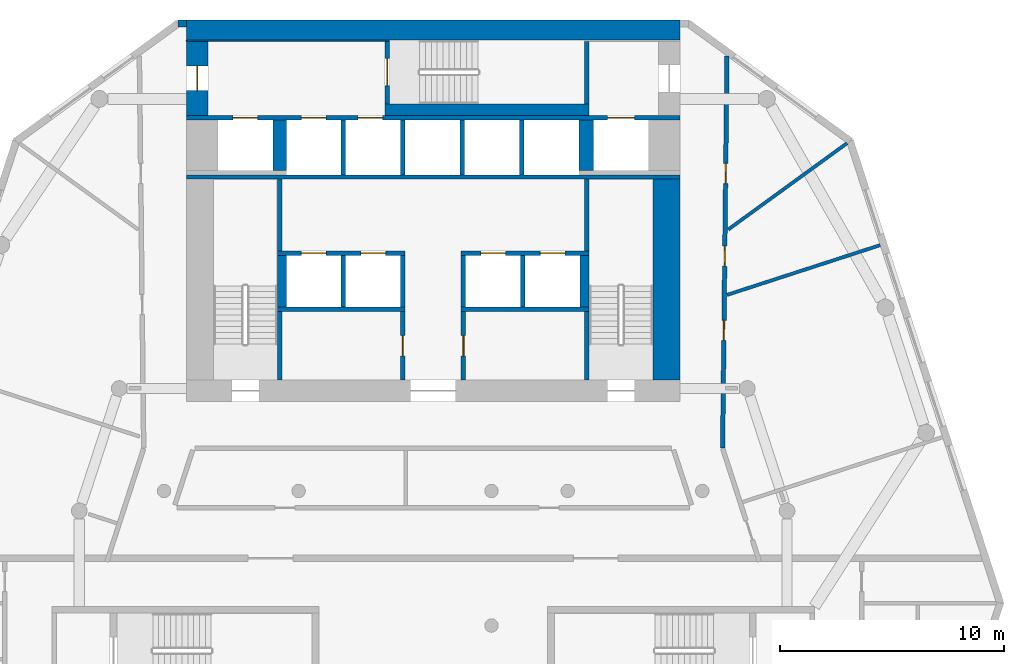
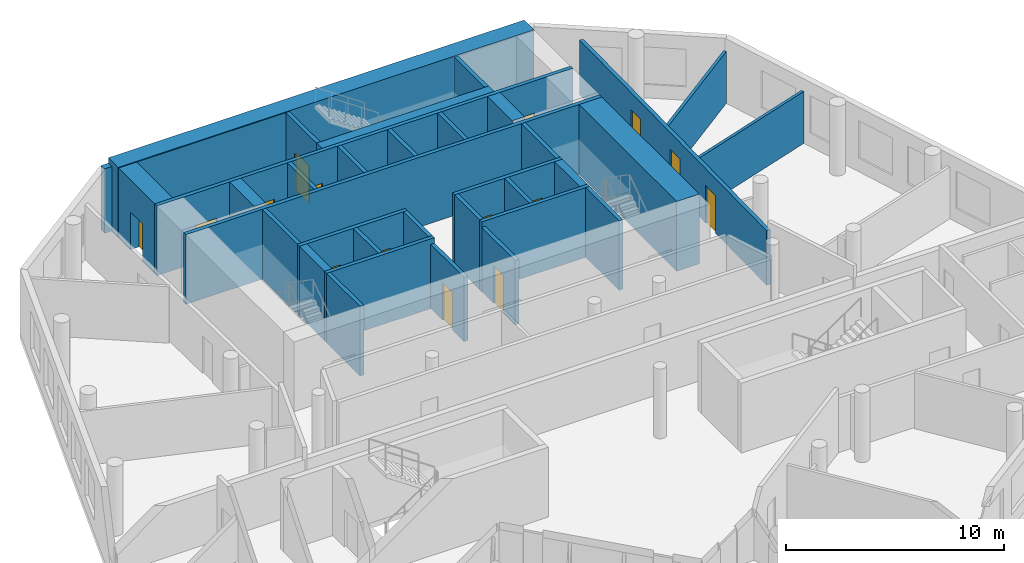
# One storey, part 5 of 8: 35 walls, 15 doors, 15 openings.
"""IFC4 building model written with IfcOpenShell, lengths in metres."""

from ifc_helpers import new_model, si_unit, direction, frame, frame_2d, origin, place, context, subcontext, project, spatial, rectangle, extrude, material, layer, layer_set, type_object, element, fill, save


model = new_model("IFC4")

# Units and contexts
model_context = context("Model", 3, precision=1e-05, world=origin(), true_north=direction((0.0, 1.0)))
body_context = subcontext(model_context, "Body", "Model", "MODEL_VIEW")
ifc_project = project(units=[si_unit("LENGTHUNIT", "METRE"), si_unit("AREAUNIT", "SQUARE_METRE"), si_unit("VOLUMEUNIT", "CUBIC_METRE"), si_unit("PLANEANGLEUNIT", "RADIAN"), si_unit("MASSUNIT", "GRAM", prefix="KILO")], contexts=[model_context])

# Site, building, storey
site_placement = place(None, origin())
site = spatial("IfcSite", under=ifc_project, at=site_placement, CompositionType="ELEMENT")
building_placement = place(site_placement, origin())
building = spatial("IfcBuilding", under=site, at=building_placement, Name="White Candle Pilgrim Tower", CompositionType="ELEMENT")
storey_placement = place(building_placement, frame((0.0, 0.0, 156.39990234375)))
storey = spatial("IfcBuildingStorey", under=building, at=storey_placement, Name="L35", CompositionType="ELEMENT", Elevation=156.39990234375)

# Wall, openings, doors
ifc_material_1 = material(Name="Concrete C60/75", Category="concrete")
ifc_layer_1 = layer(ifc_material_1, 0.199951171875)
ifc_layer_set_1 = layer_set([ifc_layer_1], Name="Core wall 200 mm Concrete C60/75")
wall_type_1 = type_object("IfcWallType", Name="Core wall 200 mm Concrete C60/75", PredefinedType="SHEAR", material=ifc_layer_set_1)
wall_1_placement = place(storey_placement, frame((59.0, 83.64990234375, 0.0), z_axis=(0.0, 0.0, 1.0), x_axis=(1.0, 0.0, 0.0)))
wall_1 = element("IfcWall", 1, at=wall_1_placement, inside=storey, type_object=wall_type_1, Name="WL-L35-C41", PredefinedType="SHEAR", context=body_context, shape_type="SweptSolid", body=[
    extrude(rectangle(XDim=22.0, YDim=0.199951171875, at=frame_2d((11.0, 0.0))), origin(), (0.0, 0.0, 1.0), 3.900146484375),
])
opening_1_placement = place(wall_1_placement, frame((5.125, 0.0, 0.0)))
opening_1 = element("IfcOpeningElement", 2, at=opening_1_placement, cuts=wall_1, Name="Opening T10-017", PredefinedType="OPENING", context=body_context, shape_type="SweptSolid", body=[
    extrude(rectangle(XDim=1.10009765625, YDim=2.10009765625, at=frame_2d((0.550048828125, 1.050048828125))), frame((0.0, 0.10986328125, 0.0), z_axis=(0.0, -1.0, 0.0), x_axis=(1.0, 0.0, 0.0)), (0.0, 0.0, 1.0), 0.219970703125),
])
opening_2_placement = place(wall_1_placement, frame((7.64990234375, 0.0, 0.0)))
opening_2 = element("IfcOpeningElement", 3, at=opening_2_placement, cuts=wall_1, Name="Opening T10-018", PredefinedType="OPENING", context=body_context, shape_type="SweptSolid", body=[
    extrude(rectangle(XDim=1.10009765625, YDim=2.10009765625, at=frame_2d((0.550048828125, 1.050048828125))), frame((0.0, 0.10986328125, 0.0), z_axis=(0.0, -1.0, 0.0), x_axis=(1.0, 0.0, 0.0)), (0.0, 0.0, 1.0), 0.219970703125),
])
opening_3_placement = place(wall_1_placement, frame((18.77490234375, 0.0, 0.0)))
opening_3 = element("IfcOpeningElement", 4, at=opening_3_placement, cuts=wall_1, Name="Opening T10-019", PredefinedType="OPENING", context=body_context, shape_type="SweptSolid", body=[
    extrude(rectangle(XDim=1.199951171875, YDim=2.10009765625, at=frame_2d((0.60009765625, 1.050048828125))), frame((0.0, 0.10986328125, 0.0), z_axis=(0.0, -1.0, 0.0), x_axis=(1.0, 0.0, 0.0)), (0.0, 0.0, 1.0), 0.219970703125),
])
opening_4_placement = place(wall_1_placement, frame((2.074951171875, 0.0, 0.0)))
opening_4 = element("IfcOpeningElement", 5, at=opening_4_placement, cuts=wall_1, Name="Opening T10-020", PredefinedType="OPENING", context=body_context, shape_type="SweptSolid", body=[
    extrude(rectangle(XDim=1.10009765625, YDim=2.10009765625, at=frame_2d((0.550048828125, 1.050048828125))), frame((0.0, 0.10986328125, 0.0), z_axis=(0.0, -1.0, 0.0), x_axis=(1.0, 0.0, 0.0)), (0.0, 0.0, 1.0), 0.219970703125),
])
ifc_material_2 = material(Name="Stainless steel", Category="steel")
door_type_1 = type_object("IfcDoorType", Name="Lift landing door 1100 x 2100 EI 60", OperationType="DOUBLE_DOOR_SLIDING", PredefinedType="DOOR", material=ifc_material_2)
door_1_placement = place(opening_1_placement, origin())
door_1 = element("IfcDoor", 6, at=door_1_placement, inside=storey, type_object=door_type_1, Name="Door T10-017", OperationType="DOUBLE_DOOR_SLIDING", OverallHeight=2.10009765625, OverallWidth=1.10009765625, PredefinedType="DOOR", context=body_context, shape_type="SweptSolid", body=[
    extrude(rectangle(XDim=1.10009765625, YDim=2.10009765625, at=frame_2d((0.550048828125, 1.050048828125))), frame((0.0, 0.02490234375, 0.0), z_axis=(0.0, -1.0, 0.0), x_axis=(1.0, 0.0, 0.0)), (0.0, 0.0, 1.0), 0.050048828125),
])
fill(opening_1, door_1)
door_2_placement = place(opening_2_placement, origin())
door_2 = element("IfcDoor", 7, at=door_2_placement, inside=storey, type_object=door_type_1, Name="Door T10-018", OperationType="DOUBLE_DOOR_SLIDING", OverallHeight=2.10009765625, OverallWidth=1.10009765625, PredefinedType="DOOR", context=body_context, shape_type="SweptSolid", body=[
    extrude(rectangle(XDim=1.10009765625, YDim=2.10009765625, at=frame_2d((0.550048828125, 1.050048828125))), frame((0.0, 0.02490234375, 0.0), z_axis=(0.0, -1.0, 0.0), x_axis=(1.0, 0.0, 0.0)), (0.0, 0.0, 1.0), 0.050048828125),
])
fill(opening_2, door_2)
door_3_placement = place(opening_4_placement, origin())
door_3 = element("IfcDoor", 8, at=door_3_placement, inside=storey, type_object=door_type_1, Name="Door T10-020", OperationType="DOUBLE_DOOR_SLIDING", OverallHeight=2.10009765625, OverallWidth=1.10009765625, PredefinedType="DOOR", context=body_context, shape_type="SweptSolid", body=[
    extrude(rectangle(XDim=1.10009765625, YDim=2.10009765625, at=frame_2d((0.550048828125, 1.050048828125))), frame((0.0, 0.02490234375, 0.0), z_axis=(0.0, -1.0, 0.0), x_axis=(1.0, 0.0, 0.0)), (0.0, 0.0, 1.0), 0.050048828125),
])
fill(opening_4, door_3)
door_type_2 = type_object("IfcDoorType", Name="Lift landing door 1200 x 2100 E 60", OperationType="DOUBLE_DOOR_SLIDING", PredefinedType="DOOR", material=ifc_material_2)
door_4_placement = place(opening_3_placement, origin())
door_4 = element("IfcDoor", 9, at=door_4_placement, inside=storey, type_object=door_type_2, Name="Door T10-019", OperationType="DOUBLE_DOOR_SLIDING", OverallHeight=2.10009765625, OverallWidth=1.199951171875, PredefinedType="DOOR", context=body_context, shape_type="SweptSolid", body=[
    extrude(rectangle(XDim=1.199951171875, YDim=2.10009765625, at=frame_2d((0.60009765625, 1.050048828125))), frame((0.0, 0.02490234375, 0.0), z_axis=(0.0, -1.0, 0.0), x_axis=(1.0, 0.0, 0.0)), (0.0, 0.0, 1.0), 0.050048828125),
])
fill(opening_3, door_4)

# Wall, opening, door
ifc_layer_2 = layer(ifc_material_1, 0.949951171875)
ifc_layer_set_2 = layer_set([ifc_layer_2], Name="Core wall 950 mm Concrete C60/75")
wall_type_2 = type_object("IfcWallType", Name="Core wall 950 mm Concrete C60/75", PredefinedType="SHEAR", material=ifc_layer_set_2)
wall_2_placement = place(storey_placement, frame((59.47509765625, 83.75, 0.0), z_axis=(0.0, 0.0, 1.0), x_axis=(0.0, 1.0, 0.0)))
wall_2 = element("IfcWall", 10, at=wall_2_placement, inside=storey, type_object=wall_type_2, Name="WL-L35-C42", PredefinedType="SHEAR", context=body_context, shape_type="SweptSolid", body=[
    extrude(rectangle(XDim=3.300048828125, YDim=0.949951171875, at=frame_2d((1.64990234375, 0.0))), origin(), (0.0, 0.0, 1.0), 3.900146484375),
])
opening_5_placement = place(wall_2_placement, frame((1.10009765625, 0.0, 0.0)))
opening_5 = element("IfcOpeningElement", 11, at=opening_5_placement, cuts=wall_2, Name="Opening T10-007", PredefinedType="OPENING", context=body_context, shape_type="SweptSolid", body=[
    extrude(rectangle(XDim=1.10009765625, YDim=2.10009765625, at=frame_2d((0.550048828125, 1.050048828125))), frame((0.0, 0.48486328125, 0.0), z_axis=(0.0, -1.0, 0.0), x_axis=(1.0, 0.0, 0.0)), (0.0, 0.0, 1.0), 0.969970703125),
])
ifc_material_3 = material(Name="Steel door leaf", Category="steel")
door_type_3 = type_object("IfcDoorType", Name="Fire door 1100 x 2100 EI 60", OperationType="NOTDEFINED", PredefinedType="DOOR", material=ifc_material_3)
door_5_placement = place(opening_5_placement, origin())
door_5 = element("IfcDoor", 12, at=door_5_placement, inside=storey, type_object=door_type_3, Name="Door T10-007", OperationType="SINGLE_SWING_LEFT", OverallHeight=2.10009765625, OverallWidth=1.10009765625, PredefinedType="DOOR", context=body_context, shape_type="SweptSolid", body=[
    extrude(rectangle(XDim=1.10009765625, YDim=2.10009765625, at=frame_2d((0.550048828125, 1.050048828125))), frame((0.0, 0.02490234375, 0.0), z_axis=(0.0, -1.0, 0.0), x_axis=(1.0, 0.0, 0.0)), (0.0, 0.0, 1.0), 0.050048828125),
])
fill(opening_5, door_5)

# Wall, openings, doors
ifc_material_4 = material(Name="Gypsum board on steel studs", Category="steel")
ifc_layer_3 = layer(ifc_material_4, 0.199951171875)
ifc_layer_set_3 = layer_set([ifc_layer_3], Name="Corridor wall 200 mm EI 45")
wall_type_3 = type_object("IfcWallType", Name="Corridor wall 200 mm EI 45", PredefinedType="PARTITIONING", material=ifc_layer_set_3)
wall_3_placement = place(storey_placement, frame((83.10009765625, 86.396240234375, 0.0), z_axis=(0.0, 0.0, 1.0), x_axis=(-0.011061239263, -0.999938822622, 0.0)))
wall_3 = element("IfcWall", 13, at=wall_3_placement, inside=storey, type_object=wall_type_3, Name="WL-L35-P004", PredefinedType="PARTITIONING", context=body_context, shape_type="SweptSolid", body=[
    extrude(rectangle(XDim=17.480712890625, YDim=0.199951171875, at=frame_2d((8.740234375, 0.0))), origin(), (0.0, 0.0, 1.0), 3.050048828125),
])
opening_6_placement = place(wall_3_placement, frame((4.794189453125, 0.0, 0.0)))
opening_6 = element("IfcOpeningElement", 14, at=opening_6_placement, cuts=wall_3, Name="Opening T10-120", PredefinedType="OPENING", context=body_context, shape_type="SweptSolid", body=[
    extrude(rectangle(XDim=0.89990234375, YDim=2.10009765625, at=frame_2d((0.449951171875, 1.050048828125))), frame((0.0, 0.10986328125, 0.0), z_axis=(0.0, -1.0, 0.0), x_axis=(1.0, 0.0, 0.0)), (0.0, 0.0, 1.0), 0.219970703125),
])
opening_7_placement = place(wall_3_placement, frame((8.476318359375, 0.0, 0.0)))
opening_7 = element("IfcOpeningElement", 15, at=opening_7_placement, cuts=wall_3, Name="Opening T10-121", PredefinedType="OPENING", context=body_context, shape_type="SweptSolid", body=[
    extrude(rectangle(XDim=0.89990234375, YDim=2.10009765625, at=frame_2d((0.449951171875, 1.050048828125))), frame((0.0, 0.10986328125, 0.0), z_axis=(0.0, -1.0, 0.0), x_axis=(1.0, 0.0, 0.0)), (0.0, 0.0, 1.0), 0.219970703125),
])
opening_8_placement = place(wall_3_placement, frame((11.78662109375, 0.0, 0.0)))
opening_8 = element("IfcOpeningElement", 16, at=opening_8_placement, cuts=wall_3, Name="Opening T10-122", PredefinedType="OPENING", context=body_context, shape_type="SweptSolid", body=[
    extrude(rectangle(XDim=0.89990234375, YDim=2.10009765625, at=frame_2d((0.449951171875, 1.050048828125))), frame((0.0, 0.10986328125, 0.0), z_axis=(0.0, -1.0, 0.0), x_axis=(1.0, 0.0, 0.0)), (0.0, 0.0, 1.0), 0.219970703125),
])
door_type_4 = type_object("IfcDoorType", Name="Fire door 900 x 2100 EI 30", OperationType="NOTDEFINED", PredefinedType="DOOR", material=ifc_material_3)
door_6_placement = place(opening_6_placement, origin())
door_6 = element("IfcDoor", 17, at=door_6_placement, inside=storey, type_object=door_type_4, Name="Door T10-120", OperationType="SINGLE_SWING_RIGHT", OverallHeight=2.10009765625, OverallWidth=0.89990234375, PredefinedType="DOOR", context=body_context, shape_type="SweptSolid", body=[
    extrude(rectangle(XDim=0.89990234375, YDim=2.10009765625, at=frame_2d((0.449951171875, 1.050048828125))), frame((0.0, 0.02490234375, 0.0), z_axis=(0.0, -1.0, 0.0), x_axis=(1.0, 0.0, 0.0)), (0.0, 0.0, 1.0), 0.050048828125),
])
fill(opening_6, door_6)
door_7_placement = place(opening_7_placement, origin())
door_7 = element("IfcDoor", 18, at=door_7_placement, inside=storey, type_object=door_type_4, Name="Door T10-121", OperationType="SINGLE_SWING_LEFT", OverallHeight=2.10009765625, OverallWidth=0.89990234375, PredefinedType="DOOR", context=body_context, shape_type="SweptSolid", body=[
    extrude(rectangle(XDim=0.89990234375, YDim=2.10009765625, at=frame_2d((0.449951171875, 1.050048828125))), frame((0.0, 0.02490234375, 0.0), z_axis=(0.0, -1.0, 0.0), x_axis=(1.0, 0.0, 0.0)), (0.0, 0.0, 1.0), 0.050048828125),
])
fill(opening_7, door_7)
door_8_placement = place(opening_8_placement, origin())
door_8 = element("IfcDoor", 19, at=door_8_placement, inside=storey, type_object=door_type_4, Name="Door T10-122", OperationType="SINGLE_SWING_RIGHT", OverallHeight=2.10009765625, OverallWidth=0.89990234375, PredefinedType="DOOR", context=body_context, shape_type="SweptSolid", body=[
    extrude(rectangle(XDim=0.89990234375, YDim=2.10009765625, at=frame_2d((0.449951171875, 1.050048828125))), frame((0.0, 0.02490234375, 0.0), z_axis=(0.0, -1.0, 0.0), x_axis=(1.0, 0.0, 0.0)), (0.0, 0.0, 1.0), 0.050048828125),
])
fill(opening_8, door_8)

# Wall
ifc_material_5 = material(Name="Precast concrete C40/50", Category="concrete")
ifc_layer_4 = layer(ifc_material_5, 0.320068359375)
ifc_layer_set_4 = layer_set([ifc_layer_4], Name="Facade wall EW1 precast concrete C40/50 pier wall with timber-lined reveals")
wall_type_4 = type_object("IfcWallType", Name="Facade wall EW1 precast concrete C40/50 pier wall with timber-lined reveals", PredefinedType="SOLIDWALL", material=ifc_layer_set_4)
wall_4_placement = place(storey_placement, frame((59.0, 87.840087890625, 0.0), z_axis=(0.0, 0.0, 1.0), x_axis=(-1.0, 0.0, 0.0)))
element("IfcWall", 20, at=wall_4_placement, inside=storey, type_object=wall_type_4, Name="Facade wall L35 N", PredefinedType="SOLIDWALL", context=body_context, shape_type="SweptSolid", body=[
    extrude(rectangle(XDim=0.385009765625, YDim=0.320068359375, at=frame_2d((0.1923828125, 0.0))), origin(), (0.0, 0.0, 1.0), 3.60009765625),
])

# Wall, opening, door
ifc_layer_5 = layer(ifc_material_4, 0.199951171875)
ifc_layer_set_5 = layer_set([ifc_layer_5], Name="Lobby wall 200 mm EI 60")
wall_type_5 = type_object("IfcWallType", Name="Lobby wall 200 mm EI 60", PredefinedType="PARTITIONING", material=ifc_layer_set_5)
wall_5_placement = place(storey_placement, frame((68.64990234375, 71.949951171875, 0.0), z_axis=(0.0, 0.0, 1.0), x_axis=(0.0, 1.0, 0.0)))
wall_5 = element("IfcWall", 21, at=wall_5_placement, inside=storey, type_object=wall_type_5, Name="WL-L35-C14", PredefinedType="PARTITIONING", context=body_context, shape_type="SweptSolid", body=[
    extrude(rectangle(XDim=3.050048828125, YDim=0.199951171875, at=frame_2d((1.52490234375, 0.0))), origin(), (0.0, 0.0, 1.0), 3.60009765625),
])
opening_9_placement = place(wall_5_placement, frame((1.074951171875, 0.0, 0.0)))
opening_9 = element("IfcOpeningElement", 22, at=opening_9_placement, cuts=wall_5, Name="Opening T10-005", PredefinedType="OPENING", context=body_context, shape_type="SweptSolid", body=[
    extrude(rectangle(XDim=0.89990234375, YDim=2.10009765625, at=frame_2d((0.449951171875, 1.050048828125))), frame((0.0, 0.10986328125, 0.0), z_axis=(0.0, -1.0, 0.0), x_axis=(1.0, 0.0, 0.0)), (0.0, 0.0, 1.0), 0.219970703125),
])
door_9_placement = place(opening_9_placement, origin())
door_9 = element("IfcDoor", 23, at=door_9_placement, inside=storey, type_object=door_type_4, Name="Door T10-005", OperationType="SINGLE_SWING_LEFT", OverallHeight=2.10009765625, OverallWidth=0.89990234375, PredefinedType="DOOR", context=body_context, shape_type="SweptSolid", body=[
    extrude(rectangle(XDim=0.89990234375, YDim=2.10009765625, at=frame_2d((0.449951171875, 1.050048828125))), frame((0.0, 0.02490234375, 0.0), z_axis=(0.0, -1.0, 0.0), x_axis=(1.0, 0.0, 0.0)), (0.0, 0.0, 1.0), 0.050048828125),
])
fill(opening_9, door_9)

wall_6_placement = place(storey_placement, frame((71.35009765625, 71.949951171875, 0.0), z_axis=(0.0, 0.0, 1.0), x_axis=(0.0, 1.0, 0.0)))
wall_6 = element("IfcWall", 24, at=wall_6_placement, inside=storey, type_object=wall_type_5, Name="WL-L35-C15", PredefinedType="PARTITIONING", context=body_context, shape_type="SweptSolid", body=[
    extrude(rectangle(XDim=3.050048828125, YDim=0.199951171875, at=frame_2d((1.52490234375, 0.0))), origin(), (0.0, 0.0, 1.0), 3.60009765625),
])
opening_10_placement = place(wall_6_placement, frame((1.074951171875, 0.0, 0.0)))
opening_10 = element("IfcOpeningElement", 25, at=opening_10_placement, cuts=wall_6, Name="Opening T10-006", PredefinedType="OPENING", context=body_context, shape_type="SweptSolid", body=[
    extrude(rectangle(XDim=0.89990234375, YDim=2.10009765625, at=frame_2d((0.449951171875, 1.050048828125))), frame((0.0, 0.10986328125, 0.0), z_axis=(0.0, -1.0, 0.0), x_axis=(1.0, 0.0, 0.0)), (0.0, 0.0, 1.0), 0.219970703125),
])
door_10_placement = place(opening_10_placement, origin())
door_10 = element("IfcDoor", 26, at=door_10_placement, inside=storey, type_object=door_type_4, Name="Door T10-006", OperationType="SINGLE_SWING_RIGHT", OverallHeight=2.10009765625, OverallWidth=0.89990234375, PredefinedType="DOOR", context=body_context, shape_type="SweptSolid", body=[
    extrude(rectangle(XDim=0.89990234375, YDim=2.10009765625, at=frame_2d((0.449951171875, 1.050048828125))), frame((0.0, 0.02490234375, 0.0), z_axis=(0.0, -1.0, 0.0), x_axis=(1.0, 0.0, 0.0)), (0.0, 0.0, 1.0), 0.050048828125),
])
fill(opening_10, door_10)

# Walls
ifc_layer_6 = layer(ifc_material_4, 0.14990234375)
ifc_layer_set_6 = layer_set([ifc_layer_6], Name="Partition 150 mm EI 60")
wall_type_6 = type_object("IfcWallType", Name="Partition 150 mm EI 60", PredefinedType="PARTITIONING", material=ifc_layer_set_6)
wall_7_placement = place(storey_placement, frame((88.453125, 82.5068359375, 0.0), z_axis=(0.0, 0.0, 1.0), x_axis=(-0.809023171625, -0.587776749944, 0.0)))
element("IfcWall", 27, at=wall_7_placement, inside=storey, type_object=wall_type_6, Name="WL-L35-P024", PredefinedType="PARTITIONING", context=body_context, shape_type="SweptSolid", body=[
    extrude(rectangle(XDim=6.543701171875, YDim=0.14990234375, at=frame_2d((3.27197265625, 0.0))), origin(), (0.0, 0.0, 1.0), 2.900146484375),
])
wall_8_placement = place(storey_placement, frame((89.930419921875, 77.9609375, 0.0), z_axis=(0.0, 0.0, 1.0), x_axis=(-0.951058069713, -0.309012213406, 0.0)))
element("IfcWall", 28, at=wall_8_placement, inside=storey, type_object=wall_type_6, Name="WL-L35-P037", PredefinedType="PARTITIONING", context=body_context, shape_type="SweptSolid", body=[
    extrude(rectangle(XDim=7.17529296875, YDim=0.14990234375, at=frame_2d((3.587646484375, 0.0))), origin(), (0.0, 0.0, 1.0), 2.900146484375),
])
ifc_layer_7 = layer(ifc_material_1, 0.199951171875)
ifc_layer_set_7 = layer_set([ifc_layer_7], Name="Shaft wall 200 mm Concrete C60/75")
wall_type_7 = type_object("IfcWallType", Name="Shaft wall 200 mm Concrete C60/75", PredefinedType="SHEAR", material=ifc_layer_set_7)
for number, where, z_axis, x_axis, name in (
    (29, (66.0, 75.199951171875, 0.0), (0.0, 0.0, 1.0), (0.0, 1.0, 0.0), "WL-L35-C21"),
    (30, (68.64990234375, 75.199951171875, 0.0), (0.0, 0.0, 1.0), (0.0, 1.0, 0.0), "WL-L35-C22"),
    (31, (71.35009765625, 75.199951171875, 0.0), (0.0, 0.0, 1.0), (0.0, 1.0, 0.0), "WL-L35-C23"),
    (32, (74.0, 75.199951171875, 0.0), (0.0, 0.0, 1.0), (0.0, 1.0, 0.0), "WL-L35-C24"),
):
    element("IfcWall", number, at=place(storey_placement, frame(where, z_axis=z_axis, x_axis=x_axis)), inside=storey, type_object=wall_type_7, Name=name, PredefinedType="SHEAR", context=body_context, shape_type="SweptSolid", body=[
        extrude(rectangle(XDim=2.300048828125, YDim=0.199951171875, at=frame_2d((1.14990234375, 0.0))), origin(), (0.0, 0.0, 1.0), 3.900146484375),
    ])
for number, where, z_axis, x_axis, name in (
    (33, (66.0, 81.10009765625, 0.0), (0.0, 0.0, 1.0), (0.0, 1.0, 0.0), "WL-L35-C32"),
    (34, (68.64990234375, 81.10009765625, 0.0), (0.0, 0.0, 1.0), (0.0, 1.0, 0.0), "WL-L35-C33"),
    (35, (71.300048828125, 81.10009765625, 0.0), (0.0, 0.0, 1.0), (0.0, 1.0, 0.0), "WL-L35-C34"),
    (36, (73.949951171875, 81.10009765625, 0.0), (0.0, 0.0, 1.0), (0.0, 1.0, 0.0), "WL-L35-C35"),
):
    element("IfcWall", number, at=place(storey_placement, frame(where, z_axis=z_axis, x_axis=x_axis)), inside=storey, type_object=wall_type_7, Name=name, PredefinedType="SHEAR", context=body_context, shape_type="SweptSolid", body=[
        extrude(rectangle(XDim=2.449951171875, YDim=0.199951171875, at=frame_2d((1.22509765625, 0.0))), origin(), (0.0, 0.0, 1.0), 3.900146484375),
    ])
ifc_layer_8 = layer(ifc_material_1, 0.60009765625)
ifc_layer_set_8 = layer_set([ifc_layer_8], Name="Shaft wall 600 mm Concrete C60/75")
wall_type_8 = type_object("IfcWallType", Name="Shaft wall 600 mm Concrete C60/75", PredefinedType="SHEAR", material=ifc_layer_set_8)
wall_9_placement = place(storey_placement, frame((63.14990234375, 81.300048828125, 0.0), z_axis=(0.0, 0.0, 1.0), x_axis=(0.0, 1.0, 0.0)))
element("IfcWall", 37, at=wall_9_placement, inside=storey, type_object=wall_type_8, Name="WL-L35-C38", PredefinedType="SHEAR", context=body_context, shape_type="SweptSolid", body=[
    extrude(rectangle(XDim=2.25, YDim=0.60009765625, at=frame_2d((1.125, 0.0))), origin(), (0.0, 0.0, 1.0), 3.900146484375),
])
ifc_layer_9 = layer(ifc_material_1, 0.64990234375)
ifc_layer_set_9 = layer_set([ifc_layer_9], Name="Shaft wall 650 mm Concrete C60/75")
wall_type_9 = type_object("IfcWallType", Name="Shaft wall 650 mm Concrete C60/75", PredefinedType="SHEAR", material=ifc_layer_set_9)
wall_10_placement = place(storey_placement, frame((76.824951171875, 81.300048828125, 0.0), z_axis=(0.0, 0.0, 1.0), x_axis=(0.0, 1.0, 0.0)))
element("IfcWall", 38, at=wall_10_placement, inside=storey, type_object=wall_type_9, Name="WL-L35-C39", PredefinedType="SHEAR", context=body_context, shape_type="SweptSolid", body=[
    extrude(rectangle(XDim=2.25, YDim=0.64990234375, at=frame_2d((1.125, 0.0))), origin(), (0.0, 0.0, 1.0), 3.900146484375),
])
ifc_layer_10 = layer(ifc_material_1, 1.199951171875)
ifc_layer_set_10 = layer_set([ifc_layer_10], Name="Stair shaft wall 1200 mm Concrete C60/75")
wall_type_10 = type_object("IfcWallType", Name="Stair shaft wall 1200 mm Concrete C60/75", PredefinedType="SHEAR", material=ifc_layer_set_10)
wall_11_placement = place(storey_placement, frame((80.39990234375, 71.949951171875, 0.0), z_axis=(0.0, 0.0, 1.0), x_axis=(0.0, 1.0, 0.0)))
element("IfcWall", 39, at=wall_11_placement, inside=storey, type_object=wall_type_10, Name="WL-L35-C17", PredefinedType="SHEAR", context=body_context, shape_type="SweptSolid", body=[
    extrude(rectangle(XDim=8.949951171875, YDim=1.199951171875, at=frame_2d((4.47509765625, 0.0))), origin(), (0.0, 0.0, 1.0), 3.900146484375),
])
ifc_layer_11 = layer(ifc_material_1, 0.199951171875)
ifc_layer_set_11 = layer_set([ifc_layer_11], Name="Stair shaft wall 200 mm Concrete C60/75")
wall_type_11 = type_object("IfcWallType", Name="Stair shaft wall 200 mm Concrete C60/75", PredefinedType="SHEAR", material=ifc_layer_set_11)
for number, where, z_axis, x_axis, name in (
    (40, (63.14990234375, 71.949951171875, 0.0), (0.0, 0.0, 1.0), (0.0, 1.0, 0.0), "WL-L35-C13"),
    (41, (76.85009765625, 71.949951171875, 0.0), (0.0, 0.0, 1.0), (0.0, 1.0, 0.0), "WL-L35-C16"),
):
    element("IfcWall", number, at=place(storey_placement, frame(where, z_axis=z_axis, x_axis=x_axis)), inside=storey, type_object=wall_type_11, Name=name, PredefinedType="SHEAR", context=body_context, shape_type="SweptSolid", body=[
        extrude(rectangle(XDim=3.050048828125, YDim=0.199951171875, at=frame_2d((1.52490234375, 0.0))), origin(), (0.0, 0.0, 1.0), 3.900146484375),
    ])
for number, where, z_axis, x_axis, name in (
    (42, (63.050048828125, 75.10009765625, 0.0), (0.0, 0.0, 1.0), (1.0, 0.0, 0.0), "WL-L35-C18"),
    (43, (71.25, 75.10009765625, 0.0), (0.0, 0.0, 1.0), (1.0, 0.0, 0.0), "WL-L35-C19"),
):
    element("IfcWall", number, at=place(storey_placement, frame(where, z_axis=z_axis, x_axis=x_axis)), inside=storey, type_object=wall_type_11, Name=name, PredefinedType="SHEAR", context=body_context, shape_type="SweptSolid", body=[
        extrude(rectangle(XDim=5.699951171875, YDim=0.199951171875, at=frame_2d((2.85009765625, 0.0))), origin(), (0.0, 0.0, 1.0), 3.900146484375),
    ])

# Wall, openings, doors
wall_12_placement = place(storey_placement, frame((63.050048828125, 77.60009765625, 0.0), z_axis=(0.0, 0.0, 1.0), x_axis=(1.0, 0.0, 0.0)))
wall_12 = element("IfcWall", 44, at=wall_12_placement, inside=storey, type_object=wall_type_11, Name="WL-L35-C26", PredefinedType="SHEAR", context=body_context, shape_type="SweptSolid", body=[
    extrude(rectangle(XDim=5.699951171875, YDim=0.199951171875, at=frame_2d((2.85009765625, 0.0))), origin(), (0.0, 0.0, 1.0), 3.900146484375),
])
opening_11_placement = place(wall_12_placement, frame((1.074951171875, 0.0, 0.0)))
opening_11 = element("IfcOpeningElement", 45, at=opening_11_placement, cuts=wall_12, Name="Opening T10-013", PredefinedType="OPENING", context=body_context, shape_type="SweptSolid", body=[
    extrude(rectangle(XDim=1.10009765625, YDim=2.10009765625, at=frame_2d((0.550048828125, 1.050048828125))), frame((0.0, 0.10986328125, 0.0), z_axis=(0.0, -1.0, 0.0), x_axis=(1.0, 0.0, 0.0)), (0.0, 0.0, 1.0), 0.219970703125),
])
opening_12_placement = place(wall_12_placement, frame((3.72509765625, 0.0, 0.0)))
opening_12 = element("IfcOpeningElement", 46, at=opening_12_placement, cuts=wall_12, Name="Opening T10-014", PredefinedType="OPENING", context=body_context, shape_type="SweptSolid", body=[
    extrude(rectangle(XDim=1.10009765625, YDim=2.10009765625, at=frame_2d((0.550048828125, 1.050048828125))), frame((0.0, 0.10986328125, 0.0), z_axis=(0.0, -1.0, 0.0), x_axis=(1.0, 0.0, 0.0)), (0.0, 0.0, 1.0), 0.219970703125),
])
door_type_5 = type_object("IfcDoorType", Name="Lift landing door 1100 x 2100 E 60", OperationType="DOUBLE_DOOR_SLIDING", PredefinedType="DOOR", material=ifc_material_2)
door_11_placement = place(opening_11_placement, origin())
door_11 = element("IfcDoor", 47, at=door_11_placement, inside=storey, type_object=door_type_5, Name="Door T10-013", OperationType="DOUBLE_DOOR_SLIDING", OverallHeight=2.10009765625, OverallWidth=1.10009765625, PredefinedType="DOOR", context=body_context, shape_type="SweptSolid", body=[
    extrude(rectangle(XDim=1.10009765625, YDim=2.10009765625, at=frame_2d((0.550048828125, 1.050048828125))), frame((0.0, 0.02490234375, 0.0), z_axis=(0.0, -1.0, 0.0), x_axis=(1.0, 0.0, 0.0)), (0.0, 0.0, 1.0), 0.050048828125),
])
fill(opening_11, door_11)
door_12_placement = place(opening_12_placement, origin())
door_12 = element("IfcDoor", 48, at=door_12_placement, inside=storey, type_object=door_type_5, Name="Door T10-014", OperationType="DOUBLE_DOOR_SLIDING", OverallHeight=2.10009765625, OverallWidth=1.10009765625, PredefinedType="DOOR", context=body_context, shape_type="SweptSolid", body=[
    extrude(rectangle(XDim=1.10009765625, YDim=2.10009765625, at=frame_2d((0.550048828125, 1.050048828125))), frame((0.0, 0.02490234375, 0.0), z_axis=(0.0, -1.0, 0.0), x_axis=(1.0, 0.0, 0.0)), (0.0, 0.0, 1.0), 0.050048828125),
])
fill(opening_12, door_12)

wall_13_placement = place(storey_placement, frame((71.25, 77.60009765625, 0.0), z_axis=(0.0, 0.0, 1.0), x_axis=(1.0, 0.0, 0.0)))
wall_13 = element("IfcWall", 49, at=wall_13_placement, inside=storey, type_object=wall_type_11, Name="WL-L35-C27", PredefinedType="SHEAR", context=body_context, shape_type="SweptSolid", body=[
    extrude(rectangle(XDim=5.699951171875, YDim=0.199951171875, at=frame_2d((2.85009765625, 0.0))), origin(), (0.0, 0.0, 1.0), 3.900146484375),
])
opening_13_placement = place(wall_13_placement, frame((0.875, 0.0, 0.0)))
opening_13 = element("IfcOpeningElement", 50, at=opening_13_placement, cuts=wall_13, Name="Opening T10-015", PredefinedType="OPENING", context=body_context, shape_type="SweptSolid", body=[
    extrude(rectangle(XDim=1.10009765625, YDim=2.10009765625, at=frame_2d((0.550048828125, 1.050048828125))), frame((0.0, 0.10986328125, 0.0), z_axis=(0.0, -1.0, 0.0), x_axis=(1.0, 0.0, 0.0)), (0.0, 0.0, 1.0), 0.219970703125),
])
opening_14_placement = place(wall_13_placement, frame((3.52490234375, 0.0, 0.0)))
opening_14 = element("IfcOpeningElement", 51, at=opening_14_placement, cuts=wall_13, Name="Opening T10-016", PredefinedType="OPENING", context=body_context, shape_type="SweptSolid", body=[
    extrude(rectangle(XDim=1.10009765625, YDim=2.10009765625, at=frame_2d((0.550048828125, 1.050048828125))), frame((0.0, 0.10986328125, 0.0), z_axis=(0.0, -1.0, 0.0), x_axis=(1.0, 0.0, 0.0)), (0.0, 0.0, 1.0), 0.219970703125),
])
door_13_placement = place(opening_13_placement, origin())
door_13 = element("IfcDoor", 52, at=door_13_placement, inside=storey, type_object=door_type_5, Name="Door T10-015", OperationType="DOUBLE_DOOR_SLIDING", OverallHeight=2.10009765625, OverallWidth=1.10009765625, PredefinedType="DOOR", context=body_context, shape_type="SweptSolid", body=[
    extrude(rectangle(XDim=1.10009765625, YDim=2.10009765625, at=frame_2d((0.550048828125, 1.050048828125))), frame((0.0, 0.02490234375, 0.0), z_axis=(0.0, -1.0, 0.0), x_axis=(1.0, 0.0, 0.0)), (0.0, 0.0, 1.0), 0.050048828125),
])
fill(opening_13, door_13)
door_14_placement = place(opening_14_placement, origin())
door_14 = element("IfcDoor", 53, at=door_14_placement, inside=storey, type_object=door_type_5, Name="Door T10-016", OperationType="DOUBLE_DOOR_SLIDING", OverallHeight=2.10009765625, OverallWidth=1.10009765625, PredefinedType="DOOR", context=body_context, shape_type="SweptSolid", body=[
    extrude(rectangle(XDim=1.10009765625, YDim=2.10009765625, at=frame_2d((0.550048828125, 1.050048828125))), frame((0.0, 0.02490234375, 0.0), z_axis=(0.0, -1.0, 0.0), x_axis=(1.0, 0.0, 0.0)), (0.0, 0.0, 1.0), 0.050048828125),
])
fill(opening_14, door_14)

# Walls
for number, where, z_axis, x_axis, name in (
    (54, (63.14990234375, 77.699951171875, 0.0), (0.0, 0.0, 1.0), (0.0, 1.0, 0.0), "WL-L35-C28"),
    (55, (76.85009765625, 77.699951171875, 0.0), (0.0, 0.0, 1.0), (0.0, 1.0, 0.0), "WL-L35-C29"),
):
    element("IfcWall", number, at=place(storey_placement, frame(where, z_axis=z_axis, x_axis=x_axis)), inside=storey, type_object=wall_type_11, Name=name, PredefinedType="SHEAR", context=body_context, shape_type="SweptSolid", body=[
        extrude(rectangle(XDim=3.199951171875, YDim=0.199951171875, at=frame_2d((1.60009765625, 0.0))), origin(), (0.0, 0.0, 1.0), 3.900146484375),
    ])
wall_14_placement = place(storey_placement, frame((59.0, 81.0, 0.0), z_axis=(0.0, 0.0, 1.0), x_axis=(1.0, 0.0, 0.0)))
element("IfcWall", 56, at=wall_14_placement, inside=storey, type_object=wall_type_11, Name="WL-L35-C30", PredefinedType="SHEAR", context=body_context, shape_type="SweptSolid", body=[
    extrude(rectangle(XDim=22.0, YDim=0.199951171875, at=frame_2d((11.0, 0.0))), origin(), (0.0, 0.0, 1.0), 3.900146484375),
])

# Wall, opening, door
wall_15_placement = place(storey_placement, frame((67.949951171875, 84.25, 0.0), z_axis=(0.0, 0.0, 1.0), x_axis=(0.0, 1.0, 0.0)))
wall_15 = element("IfcWall", 57, at=wall_15_placement, inside=storey, type_object=wall_type_11, Name="WL-L35-C45", PredefinedType="SHEAR", context=body_context, shape_type="SweptSolid", body=[
    extrude(rectangle(XDim=2.800048828125, YDim=0.199951171875, at=frame_2d((1.39990234375, 0.0))), origin(), (0.0, 0.0, 1.0), 3.900146484375),
])
opening_15_placement = place(wall_15_placement, frame((0.824951171875, 0.0, 0.0)))
opening_15 = element("IfcOpeningElement", 58, at=opening_15_placement, cuts=wall_15, Name="Opening T10-003", PredefinedType="OPENING", context=body_context, shape_type="SweptSolid", body=[
    extrude(rectangle(XDim=1.199951171875, YDim=2.10009765625, at=frame_2d((0.60009765625, 1.050048828125))), frame((0.0, 0.10986328125, 0.0), z_axis=(0.0, -1.0, 0.0), x_axis=(1.0, 0.0, 0.0)), (0.0, 0.0, 1.0), 0.219970703125),
])
door_type_6 = type_object("IfcDoorType", Name="Fire door 1200 x 2100 EI 60", OperationType="NOTDEFINED", PredefinedType="DOOR", material=ifc_material_3)
door_15_placement = place(opening_15_placement, frame((1.199951171875, 0.0, 0.0), z_axis=(0.0, 0.0, 1.0), x_axis=(-1.0, 0.0, 0.0)))
door_15 = element("IfcDoor", 59, at=door_15_placement, inside=storey, type_object=door_type_6, Name="Door T10-003", OperationType="SINGLE_SWING_RIGHT", OverallHeight=2.10009765625, OverallWidth=1.199951171875, PredefinedType="DOOR", context=body_context, shape_type="SweptSolid", body=[
    extrude(rectangle(XDim=1.199951171875, YDim=2.10009765625, at=frame_2d((0.60009765625, 1.050048828125))), frame((0.0, 0.02490234375, 0.0), z_axis=(0.0, -1.0, 0.0), x_axis=(1.0, 0.0, 0.0)), (0.0, 0.0, 1.0), 0.050048828125),
])
fill(opening_15, door_15)

# Walls
wall_16_placement = place(storey_placement, frame((76.85009765625, 84.25, 0.0), z_axis=(0.0, 0.0, 1.0), x_axis=(0.0, 1.0, 0.0)))
element("IfcWall", 60, at=wall_16_placement, inside=storey, type_object=wall_type_11, Name="WL-L35-C46", PredefinedType="SHEAR", context=body_context, shape_type="SweptSolid", body=[
    extrude(rectangle(XDim=2.800048828125, YDim=0.199951171875, at=frame_2d((1.39990234375, 0.0))), origin(), (0.0, 0.0, 1.0), 3.900146484375),
])
ifc_layer_12 = layer(ifc_material_1, 0.39990234375)
ifc_layer_set_12 = layer_set([ifc_layer_12], Name="Stair shaft wall 400 mm Concrete C60/75")
wall_type_12 = type_object("IfcWallType", Name="Stair shaft wall 400 mm Concrete C60/75", PredefinedType="SHEAR", material=ifc_layer_set_12)
for number, where, z_axis, x_axis, name in (
    (61, (63.25, 75.199951171875, 0.0), (0.0, 0.0, 1.0), (0.0, 1.0, 0.0), "WL-L35-C20"),
    (62, (76.75, 75.199951171875, 0.0), (0.0, 0.0, 1.0), (0.0, 1.0, 0.0), "WL-L35-C25"),
):
    element("IfcWall", number, at=place(storey_placement, frame(where, z_axis=z_axis, x_axis=x_axis)), inside=storey, type_object=wall_type_12, Name=name, PredefinedType="SHEAR", context=body_context, shape_type="SweptSolid", body=[
        extrude(rectangle(XDim=2.300048828125, YDim=0.39990234375, at=frame_2d((1.14990234375, 0.0))), origin(), (0.0, 0.0, 1.0), 3.900146484375),
    ])
ifc_layer_13 = layer(ifc_material_1, 0.050048828125)
ifc_layer_set_13 = layer_set([ifc_layer_13], Name="Stair shaft wall 50 mm Concrete C60/75")
wall_type_13 = type_object("IfcWallType", Name="Stair shaft wall 50 mm Concrete C60/75", PredefinedType="SHEAR", material=ifc_layer_set_13)
wall_17_placement = place(storey_placement, frame((59.0, 87.074951171875, 0.0), z_axis=(0.0, 0.0, 1.0), x_axis=(1.0, 0.0, 0.0)))
element("IfcWall", 63, at=wall_17_placement, inside=storey, type_object=wall_type_13, Name="WL-L35-C47", PredefinedType="SHEAR", context=body_context, shape_type="SweptSolid", body=[
    extrude(rectangle(XDim=9.050048828125, YDim=0.050048828125, at=frame_2d((4.52490234375, 0.0))), origin(), (0.0, 0.0, 1.0), 3.900146484375),
])
ifc_layer_14 = layer(ifc_material_1, 0.5)
ifc_layer_set_14 = layer_set([ifc_layer_14], Name="Stair shaft wall 500 mm Concrete C60/75")
wall_type_14 = type_object("IfcWallType", Name="Stair shaft wall 500 mm Concrete C60/75", PredefinedType="SHEAR", material=ifc_layer_set_14)
wall_18_placement = place(storey_placement, frame((67.85009765625, 84.0, 0.0), z_axis=(0.0, 0.0, 1.0), x_axis=(1.0, 0.0, 0.0)))
element("IfcWall", 64, at=wall_18_placement, inside=storey, type_object=wall_type_14, Name="WL-L35-C43", PredefinedType="SHEAR", context=body_context, shape_type="SweptSolid", body=[
    extrude(rectangle(XDim=9.099853515625, YDim=0.5, at=frame_2d((4.5498046875, 0.0))), origin(), (0.0, 0.0, 1.0), 3.900146484375),
])
ifc_layer_15 = layer(ifc_material_1, 0.89990234375)
ifc_layer_set_15 = layer_set([ifc_layer_15], Name="Stair shaft wall 900 mm Concrete C60/75")
wall_type_15 = type_object("IfcWallType", Name="Stair shaft wall 900 mm Concrete C60/75", PredefinedType="SHEAR", material=ifc_layer_set_15)
wall_19_placement = place(storey_placement, frame((59.0, 87.550048828125, 0.0), z_axis=(0.0, 0.0, 1.0), x_axis=(1.0, 0.0, 0.0)))
element("IfcWall", 65, at=wall_19_placement, inside=storey, type_object=wall_type_15, Name="WL-L35-C49", PredefinedType="SHEAR", context=body_context, shape_type="SweptSolid", body=[
    extrude(rectangle(XDim=22.0, YDim=0.89990234375, at=frame_2d((11.0, 0.0))), origin(), (0.0, 0.0, 1.0), 3.900146484375),
])

save(model, "model.ifc")
